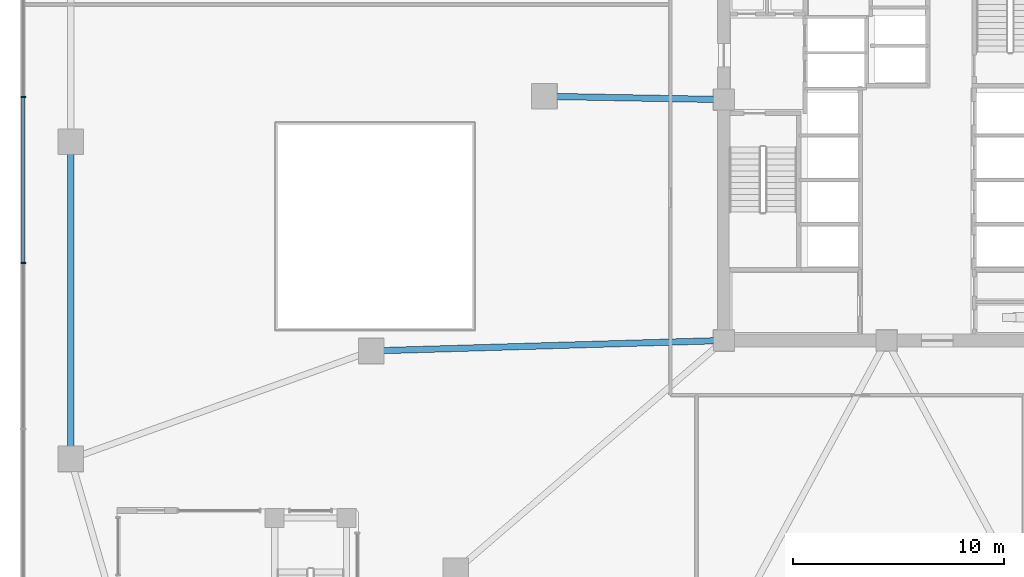
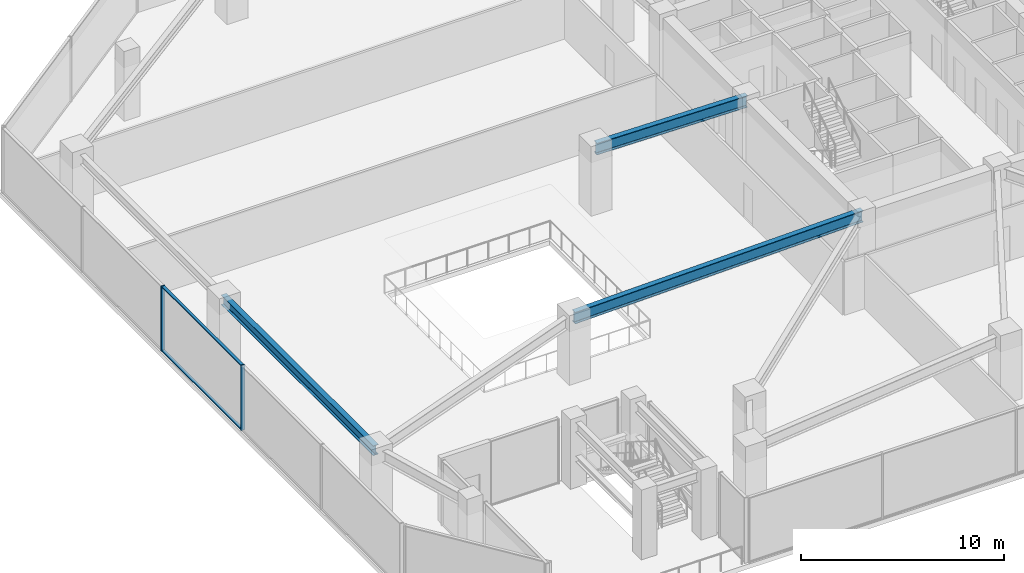
# One storey, part 3 of 22: 4 members, 3 beams, 1 element without a shape of its own.
"""IFC4 building model written with IfcOpenShell, lengths in metres."""

from ifc_helpers import new_model, si_unit, direction, frame, origin, origin_2d, place, context, subcontext, project, spatial, rectangle, i_section, extrude, material, material_profile, profile_set, type_object, element, aggregate, save


model = new_model("IFC4")

# Units and contexts
model_context = context("Model", 3, precision=1e-05, world=origin(), true_north=direction((0.0, 1.0)))
body_context = subcontext(model_context, "Body", "Model", "MODEL_VIEW")
ifc_project = project(units=[si_unit("LENGTHUNIT", "METRE"), si_unit("AREAUNIT", "SQUARE_METRE"), si_unit("VOLUMEUNIT", "CUBIC_METRE"), si_unit("PLANEANGLEUNIT", "RADIAN"), si_unit("MASSUNIT", "GRAM", prefix="KILO")], contexts=[model_context])

# Site, building, storey
site_placement = place(None, origin())
site = spatial("IfcSite", under=ifc_project, at=site_placement, CompositionType="ELEMENT")
building_placement = place(site_placement, origin())
building = spatial("IfcBuilding", under=site, at=building_placement, Name="Savorim Split Tower", CompositionType="ELEMENT")
storey_placement = place(building_placement, frame((0.0, 0.0, 13.39990234375)))
storey = spatial("IfcBuildingStorey", under=building, at=storey_placement, Name="L03", CompositionType="ELEMENT", Elevation=13.39990234375)

# Beams
ifc_material_1 = material(Name="Steel S355", Category="steel")
ifc_material_profile_1 = material_profile(ifc_material_1, i_section(OverallWidth=0.300048828125, OverallDepth=0.699951171875, WebThickness=0.01708984375, FlangeThickness=0.031982421875, FilletRadius=0.027099609375, at=origin_2d()), Name="HEB 700")
ifc_profile_set_1 = profile_set([ifc_material_profile_1], Name="Steel S355")
beam_type_1 = type_object("IfcBeamType", Name="BM-PRI-HEB700", PredefinedType="BEAM", material=ifc_profile_set_1)
beam_1_placement = place(storey_placement, frame((-16.1884765625, 2.15380859375, 3.570068359375), z_axis=(0.999835880654, -0.018116615514, 0.0), x_axis=(0.018116615514, 0.999835880654, 0.0)))
element("IfcBeam", 1, at=beam_1_placement, inside=storey, type_object=beam_type_1, Name="L03 Podium Primary Girder BG-30", PredefinedType="BEAM", context=body_context, shape_type="SweptSolid", body=[
    extrude(i_section(OverallWidth=0.300048828125, OverallDepth=0.699951171875, WebThickness=0.01708984375, FlangeThickness=0.031982421875, FilletRadius=0.027099609375, at=origin_2d()), origin(), (0.0, 0.0, 1.0), 8.489990234375),
])
beam_2_placement = place(storey_placement, frame((-24.384521484375, -9.894287109375, 3.570068359375), z_axis=(0.999561283227, 0.029618255758, 0.0), x_axis=(-0.029618255758, 0.999561283227, 0.0)))
element("IfcBeam", 2, at=beam_2_placement, inside=storey, type_object=beam_type_1, Name="L03 Podium Primary Girder BG-31", PredefinedType="BEAM", context=body_context, shape_type="SweptSolid", body=[
    extrude(i_section(OverallWidth=0.300048828125, OverallDepth=0.699951171875, WebThickness=0.01708984375, FlangeThickness=0.031982421875, FilletRadius=0.027099609375, at=origin_2d()), origin(), (0.0, 0.0, 1.0), 16.69189453125),
])
ifc_material_profile_2 = material_profile(ifc_material_1, i_section(OverallWidth=0.300048828125, OverallDepth=0.590087890625, WebThickness=0.012939453125, FlangeThickness=0.02490234375, FilletRadius=0.027099609375, at=origin_2d()), Name="HEA 600")
ifc_profile_set_2 = profile_set([ifc_material_profile_2], Name="Steel S355")
beam_type_2 = type_object("IfcBeamType", Name="BM-SPN-HEA600", PredefinedType="SPANDREL", material=ifc_profile_set_2)
beam_3_placement = place(storey_placement, frame((-38.60009765625, 0.0, 3.625), z_axis=(0.0, -1.0, 0.0), x_axis=(1.0, 0.0, 0.0)))
element("IfcBeam", 3, at=beam_3_placement, inside=storey, type_object=beam_type_2, Name="L03 Podium Spandrel Beam 11", PredefinedType="SPANDREL", context=body_context, shape_type="SweptSolid", body=[
    extrude(i_section(OverallWidth=0.300048828125, OverallDepth=0.590087890625, WebThickness=0.012939453125, FlangeThickness=0.02490234375, FilletRadius=0.027099609375, at=origin_2d()), origin(), (0.0, 0.0, 1.0), 15.0),
])

# Curtain wall, members
ifc_material_2 = material(Name="Dark Ceramic-Fritted Insulated Glass", Category="glass")
curtain_wall_type = type_object("IfcCurtainWallType", Name="CW-POD-GLZ", PredefinedType="NOTDEFINED", material=ifc_material_2)
curtain_wall_placement = place(storey_placement, origin())
curtain_wall = element("IfcCurtainWall", 4, at=curtain_wall_placement, inside=storey, type_object=curtain_wall_type, Name="L03 Curtain Wall CW-L03-E10", PredefinedType="NOTDEFINED")
ifc_material_3 = material(Name="Charcoal Anodised Aluminium", Category="aluminium")
ifc_material_profile_3 = material_profile(ifc_material_3, rectangle(XDim=0.219970703125, YDim=0.070068359375, at=origin_2d()), Name="ALU-M 220x70")
ifc_profile_set_3 = profile_set([ifc_material_profile_3], Name="Charcoal Anodised Aluminium")
member_type_1 = type_object("IfcMemberType", Name="CWM-220x70", PredefinedType="MULLION", material=ifc_profile_set_3)
member_1_placement = place(storey_placement, frame((-40.840087890625, 2.132080078125, 0.0), z_axis=(0.0, 0.0, 1.0), x_axis=(1.0, 0.0, 0.0)))
member_1 = element("IfcMember", 5, at=member_1_placement, type_object=member_type_1, Name="CW-01 mullion 3", PredefinedType="MULLION", context=body_context, shape_type="SweptSolid", body=[
    extrude(rectangle(XDim=0.219970703125, YDim=0.070068359375, at=origin_2d()), origin(), (0.0, 0.0, 1.0), 3.920166015625),
])
member_2_placement = place(storey_placement, frame((-40.840087890625, -5.73193359375, 0.0), z_axis=(0.0, 0.0, 1.0), x_axis=(1.0, 0.0, 0.0)))
member_2 = element("IfcMember", 6, at=member_2_placement, type_object=member_type_1, Name="CW-01 mullion 4", PredefinedType="MULLION", context=body_context, shape_type="SweptSolid", body=[
    extrude(rectangle(XDim=0.219970703125, YDim=0.070068359375, at=origin_2d()), origin(), (0.0, 0.0, 1.0), 3.920166015625),
])
ifc_material_profile_4 = material_profile(ifc_material_3, rectangle(XDim=0.159912109375, YDim=0.06005859375, at=origin_2d()), Name="ALU-T 160x60")
ifc_profile_set_4 = profile_set([ifc_material_profile_4], Name="Charcoal Anodised Aluminium")
member_type_2 = type_object("IfcMemberType", Name="CWT-160x60", PredefinedType="USERDEFINED", material=ifc_profile_set_4)
member_3_placement = place(storey_placement, frame((-40.840087890625, 2.096923828125, 0.030029296875), z_axis=(0.0, -1.0, 0.0), x_axis=(1.0, 0.0, 0.0)))
member_3 = element("IfcMember", 7, at=member_3_placement, type_object=member_type_2, Name="CW-01 transom 3.1", ObjectType="TRANSOM", PredefinedType="USERDEFINED", context=body_context, shape_type="SweptSolid", body=[
    extrude(rectangle(XDim=0.159912109375, YDim=0.06005859375, at=origin_2d()), origin(), (0.0, 0.0, 1.0), 7.7939453125),
])
member_4_placement = place(storey_placement, frame((-40.840087890625, 2.096923828125, 3.89013671875), z_axis=(0.0, -1.0, 0.0), x_axis=(1.0, 0.0, 0.0)))
member_4 = element("IfcMember", 8, at=member_4_placement, type_object=member_type_2, Name="CW-01 transom 3.2", ObjectType="TRANSOM", PredefinedType="USERDEFINED", context=body_context, shape_type="SweptSolid", body=[
    extrude(rectangle(XDim=0.159912109375, YDim=0.06005859375, at=origin_2d()), origin(), (0.0, 0.0, 1.0), 7.7939453125),
])
aggregate(curtain_wall, [member_1, member_2, member_3, member_4])

save(model, "model.ifc")
